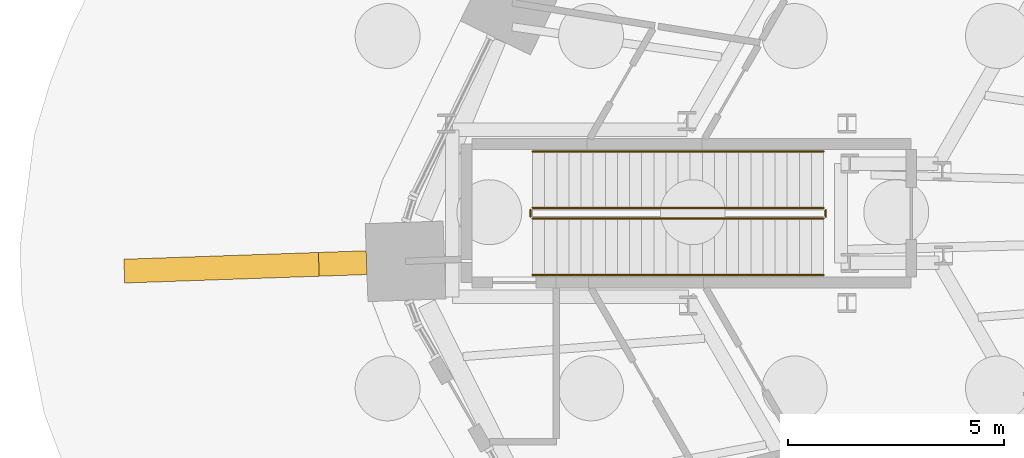
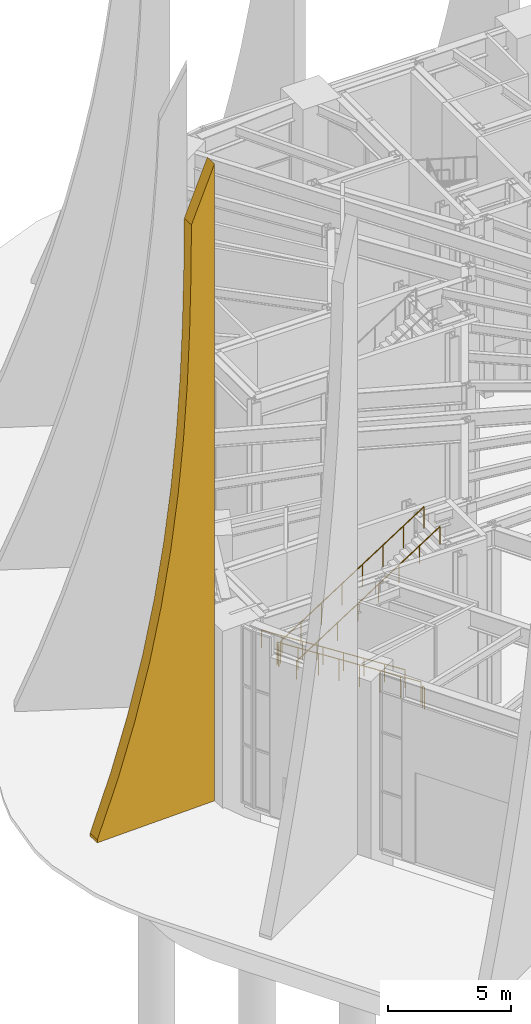
# One storey, part 34 of 43: 6 railings, 1 shading device.
"""IFC4 building model written with IfcOpenShell, lengths in metres."""

from ifc_helpers import new_model, si_unit, direction, frame, origin, origin_2d, place, context, subcontext, project, spatial, polyline, circle, outline, extrude, material, layer, layer_set, type_object, element, save


model = new_model("IFC4")

# Units and contexts
model_context = context("Model", 3, precision=1e-05, world=origin(), true_north=direction((0.0, 1.0)))
body_context = subcontext(model_context, "Body", "Model", "MODEL_VIEW")
ifc_project = project(units=[si_unit("LENGTHUNIT", "METRE"), si_unit("AREAUNIT", "SQUARE_METRE"), si_unit("VOLUMEUNIT", "CUBIC_METRE"), si_unit("PLANEANGLEUNIT", "RADIAN"), si_unit("MASSUNIT", "GRAM", prefix="KILO")], contexts=[model_context])

# Site, building, storey
site_placement = place(None, origin())
site = spatial("IfcSite", under=ifc_project, at=site_placement, CompositionType="ELEMENT")
building_placement = place(site_placement, origin())
building = spatial("IfcBuilding", under=site, at=building_placement, Name="Tarnside Tower", CompositionType="ELEMENT")
storey_placement = place(building_placement, origin())
storey = spatial("IfcBuildingStorey", under=building, at=storey_placement, Name="L00", CompositionType="ELEMENT", Elevation=0.0)

# Shading device
ifc_material_1 = material(Name="Concrete C50/60 white precast", Category="concrete")
ifc_layer = layer(ifc_material_1, 0.550048828125)
ifc_layer_set = layer_set([ifc_layer], Name="Flared precast fin root 5600")
shading_device_type = type_object("IfcShadingDeviceType", Name="Flared precast fin root 5600", PredefinedType="USERDEFINED", material=ifc_layer_set)
shading_device_placement = place(storey_placement, frame((-33.385498046875, -1.165771484375, 0.0), z_axis=(-0.034899496703, 0.999390827019, 0.0), x_axis=(-0.999390827019, -0.034899496703, 0.0)))
element("IfcShadingDevice", 1, at=shading_device_placement, inside=storey, type_object=shading_device_type, Name="Flared fin root M08", ObjectType="FIN", PredefinedType="USERDEFINED", context=body_context, shape_type="SweptSolid", body=[
    extrude(outline(polyline([(0.0, 0.0), (5.60009765625, 0.0), (5.60009765625, 0.14990234375), (4.62255859375, 2.762451171875), (3.793701171875, 5.375), (3.102294921875, 7.987548828125), (2.537353515625, 10.60009765625), (2.0869140625, 13.21240234375), (1.739501953125, 15.824951171875), (1.48291015625, 18.4375), (1.30419921875, 21.050048828125), (1.19091796875, 23.66259765625), (1.12890625, 26.27490234375), (1.10400390625, 28.887451171875), (0.0, 31.5), (0.0, 0.0)])), frame((0.0, 0.0, -0.27490234375)), (0.0, 0.0, 1.0), 0.550048828125),
])

# Railings
ifc_material_2 = material(Name="Stainless steel", Category="steel")
railing_type_1 = type_object("IfcRailingType", Name="Podium stair guard 1100", PredefinedType="GUARDRAIL", material=ifc_material_2)
railing_1_placement = place(storey_placement, frame((-22.830078125, 0.10009765625, 0.179931640625)))
element("IfcRailing", 2, at=railing_1_placement, inside=storey, type_object=railing_type_1, Name="L00 PS2 stair guard 1", PredefinedType="GUARDRAIL", context=body_context, shape_type="SweptSolid", body=[
    extrude(circle(Radius=0.02392578125, at=origin_2d()), frame((0.0, 0.0, 1.076171875), z_axis=(-0.841173510664, 0.0, 0.540765314122), x_axis=(0.0, -1.0, 0.0)), (0.0, 0.0, 1.0), 7.98876953125),
    extrude(circle(Radius=0.02099609375, at=origin_2d()), origin(), (0.0, 0.0, 1.0), 1.052001953125),
    extrude(circle(Radius=0.02099609375, at=origin_2d()), frame((-0.9599609375, 0.0, 0.6171875)), (0.0, 0.0, 1.0), 1.052001953125),
    extrude(circle(Radius=0.02099609375, at=origin_2d()), frame((-1.919921875, 0.0, 1.234375)), (0.0, 0.0, 1.0), 1.052001953125),
    extrude(circle(Radius=0.02099609375, at=origin_2d()), frame((-2.8798828125, 0.0, 1.8515625)), (0.0, 0.0, 1.0), 1.052001953125),
    extrude(circle(Radius=0.02099609375, at=origin_2d()), frame((-3.840087890625, 0.0, 2.468505859375)), (0.0, 0.0, 1.0), 1.052001953125),
    extrude(circle(Radius=0.02099609375, at=origin_2d()), frame((-4.800048828125, 0.0, 3.085693359375)), (0.0, 0.0, 1.0), 1.052001953125),
    extrude(circle(Radius=0.02099609375, at=origin_2d()), frame((-5.760009765625, 0.0, 3.702880859375)), (0.0, 0.0, 1.0), 1.052001953125),
    extrude(circle(Radius=0.02099609375, at=origin_2d()), frame((-6.719970703125, 0.0, 4.320068359375)), (0.0, 0.0, 1.0), 1.052001953125),
])
railing_2_placement = place(storey_placement, frame((-29.60009765625, 0.050048828125, 4.5)))
element("IfcRailing", 3, at=railing_2_placement, inside=storey, type_object=railing_type_1, Name="L00 PS2 stair guard 2", PredefinedType="GUARDRAIL", context=body_context, shape_type="SweptSolid", body=[
    extrude(circle(Radius=0.02392578125, at=origin_2d()), frame((0.0, 0.0, 1.076171875), z_axis=(0.0, -1.0, 0.0), x_axis=(1.0, 0.0, 0.0)), (0.0, 0.0, 1.0), 0.150146484375),
    extrude(circle(Radius=0.02099609375, at=origin_2d()), origin(), (0.0, 0.0, 1.0), 1.052001953125),
    extrude(circle(Radius=0.02099609375, at=origin_2d()), frame((0.0, -0.150146484375, 0.0)), (0.0, 0.0, 1.0), 1.052001953125),
])
railing_3_placement = place(storey_placement, frame((-29.550048828125, -0.14990234375, 4.679931640625)))
element("IfcRailing", 4, at=railing_3_placement, inside=storey, type_object=railing_type_1, Name="L00 PS2 stair guard 3", PredefinedType="GUARDRAIL", context=body_context, shape_type="SweptSolid", body=[
    extrude(circle(Radius=0.02392578125, at=origin_2d()), frame((0.0, 0.0, 1.076171875), z_axis=(0.841173510664, 0.0, 0.540765314122), x_axis=(0.0, 1.0, 0.0)), (0.0, 0.0, 1.0), 7.98876953125),
    extrude(circle(Radius=0.02099609375, at=origin_2d()), origin(), (0.0, 0.0, 1.0), 1.052001953125),
    extrude(circle(Radius=0.02099609375, at=origin_2d()), frame((0.9599609375, 0.0, 0.6171875)), (0.0, 0.0, 1.0), 1.052001953125),
    extrude(circle(Radius=0.02099609375, at=origin_2d()), frame((1.919921875, 0.0, 1.234375)), (0.0, 0.0, 1.0), 1.052001953125),
    extrude(circle(Radius=0.02099609375, at=origin_2d()), frame((2.8798828125, 0.0, 1.8515625)), (0.0, 0.0, 1.0), 1.052001953125),
    extrude(circle(Radius=0.02099609375, at=origin_2d()), frame((3.840087890625, 0.0, 2.468505859375)), (0.0, 0.0, 1.0), 1.052001953125),
    extrude(circle(Radius=0.02099609375, at=origin_2d()), frame((4.800048828125, 0.0, 3.085693359375)), (0.0, 0.0, 1.0), 1.052001953125),
    extrude(circle(Radius=0.02099609375, at=origin_2d()), frame((5.760009765625, 0.0, 3.702880859375)), (0.0, 0.0, 1.0), 1.052001953125),
    extrude(circle(Radius=0.02099609375, at=origin_2d()), frame((6.719970703125, 0.0, 4.320068359375)), (0.0, 0.0, 1.0), 1.052001953125),
])
railing_4_placement = place(storey_placement, frame((-22.780029296875, 0.050048828125, 0.0)))
element("IfcRailing", 5, at=railing_4_placement, inside=storey, type_object=railing_type_1, Name="L00 PS2 stair guard 4", PredefinedType="GUARDRAIL", context=body_context, shape_type="SweptSolid", body=[
    extrude(circle(Radius=0.02392578125, at=origin_2d()), frame((0.0, 0.0, 1.076171875), z_axis=(0.0, -1.0, 0.0), x_axis=(1.0, 0.0, 0.0)), (0.0, 0.0, 1.0), 0.150146484375),
    extrude(circle(Radius=0.02099609375, at=origin_2d()), origin(), (0.0, 0.0, 1.0), 1.052001953125),
    extrude(circle(Radius=0.02099609375, at=origin_2d()), frame((0.0, -0.150146484375, 0.0)), (0.0, 0.0, 1.0), 1.052001953125),
])
railing_type_2 = type_object("IfcRailingType", Name="Podium stair handrail 900", PredefinedType="HANDRAIL", material=ifc_material_2)
railing_5_placement = place(storey_placement, frame((-22.830078125, 1.39990234375, 0.179931640625)))
element("IfcRailing", 6, at=railing_5_placement, inside=storey, type_object=railing_type_2, Name="L00 PS2 stair handrail 1", PredefinedType="HANDRAIL", context=body_context, shape_type="SweptSolid", body=[
    extrude(circle(Radius=0.02392578125, at=origin_2d()), frame((0.0, 0.0, 0.8857421875), z_axis=(-0.841173510664, 0.0, 0.540765314122), x_axis=(0.0, -1.0, 0.0)), (0.0, 0.0, 1.0), 7.98876953125),
    extrude(circle(Radius=0.02099609375, at=origin_2d()), origin(), (0.0, 0.0, 1.0), 0.86181640625),
    extrude(circle(Radius=0.02099609375, at=origin_2d()), frame((-0.9599609375, 0.0, 0.6171875)), (0.0, 0.0, 1.0), 0.86181640625),
    extrude(circle(Radius=0.02099609375, at=origin_2d()), frame((-1.919921875, 0.0, 1.234375)), (0.0, 0.0, 1.0), 0.86181640625),
    extrude(circle(Radius=0.02099609375, at=origin_2d()), frame((-2.8798828125, 0.0, 1.8515625)), (0.0, 0.0, 1.0), 0.86181640625),
    extrude(circle(Radius=0.02099609375, at=origin_2d()), frame((-3.840087890625, 0.0, 2.468505859375)), (0.0, 0.0, 1.0), 0.86181640625),
    extrude(circle(Radius=0.02099609375, at=origin_2d()), frame((-4.800048828125, 0.0, 3.085693359375)), (0.0, 0.0, 1.0), 0.86181640625),
    extrude(circle(Radius=0.02099609375, at=origin_2d()), frame((-5.760009765625, 0.0, 3.702880859375)), (0.0, 0.0, 1.0), 0.86181640625),
    extrude(circle(Radius=0.02099609375, at=origin_2d()), frame((-6.719970703125, 0.0, 4.320068359375)), (0.0, 0.0, 1.0), 0.86181640625),
])
railing_6_placement = place(storey_placement, frame((-29.550048828125, -1.449951171875, 4.679931640625)))
element("IfcRailing", 7, at=railing_6_placement, inside=storey, type_object=railing_type_2, Name="L00 PS2 stair handrail 2", PredefinedType="HANDRAIL", context=body_context, shape_type="SweptSolid", body=[
    extrude(circle(Radius=0.02392578125, at=origin_2d()), frame((0.0, 0.0, 0.8857421875), z_axis=(0.841173510664, 0.0, 0.540765314122), x_axis=(0.0, 1.0, 0.0)), (0.0, 0.0, 1.0), 7.98876953125),
    extrude(circle(Radius=0.02099609375, at=origin_2d()), origin(), (0.0, 0.0, 1.0), 0.86181640625),
    extrude(circle(Radius=0.02099609375, at=origin_2d()), frame((0.9599609375, 0.0, 0.6171875)), (0.0, 0.0, 1.0), 0.86181640625),
    extrude(circle(Radius=0.02099609375, at=origin_2d()), frame((1.919921875, 0.0, 1.234375)), (0.0, 0.0, 1.0), 0.86181640625),
    extrude(circle(Radius=0.02099609375, at=origin_2d()), frame((2.8798828125, 0.0, 1.8515625)), (0.0, 0.0, 1.0), 0.86181640625),
    extrude(circle(Radius=0.02099609375, at=origin_2d()), frame((3.840087890625, 0.0, 2.468505859375)), (0.0, 0.0, 1.0), 0.86181640625),
    extrude(circle(Radius=0.02099609375, at=origin_2d()), frame((4.800048828125, 0.0, 3.085693359375)), (0.0, 0.0, 1.0), 0.86181640625),
    extrude(circle(Radius=0.02099609375, at=origin_2d()), frame((5.760009765625, 0.0, 3.702880859375)), (0.0, 0.0, 1.0), 0.86181640625),
    extrude(circle(Radius=0.02099609375, at=origin_2d()), frame((6.719970703125, 0.0, 4.320068359375)), (0.0, 0.0, 1.0), 0.86181640625),
])

save(model, "model.ifc")
